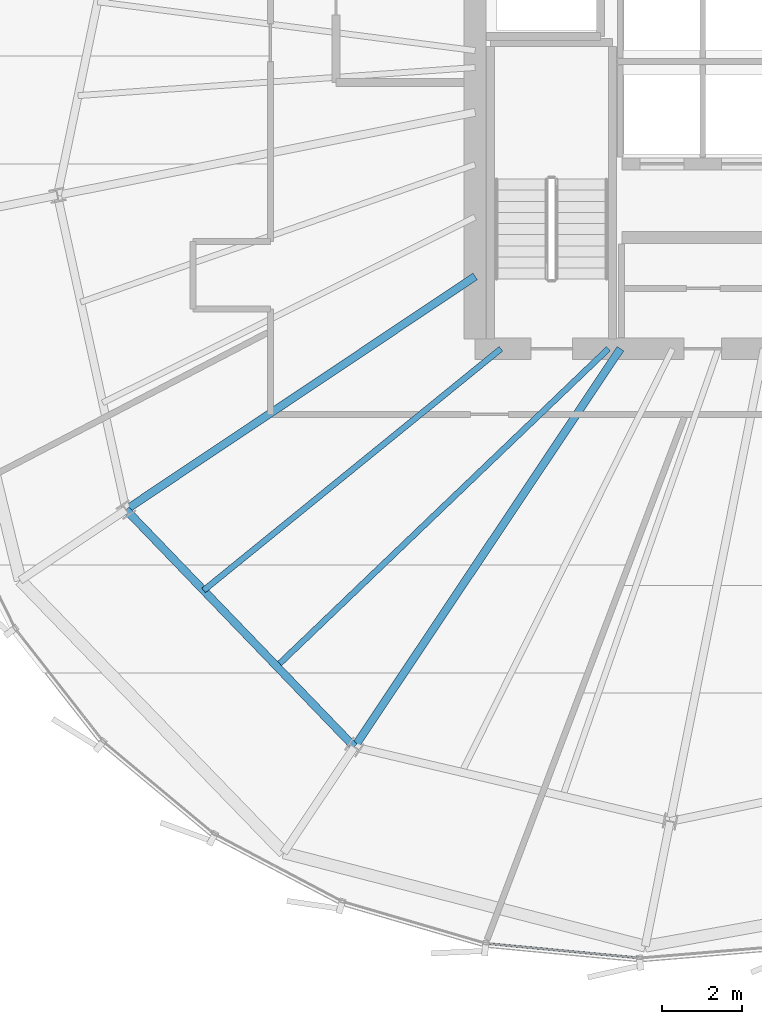
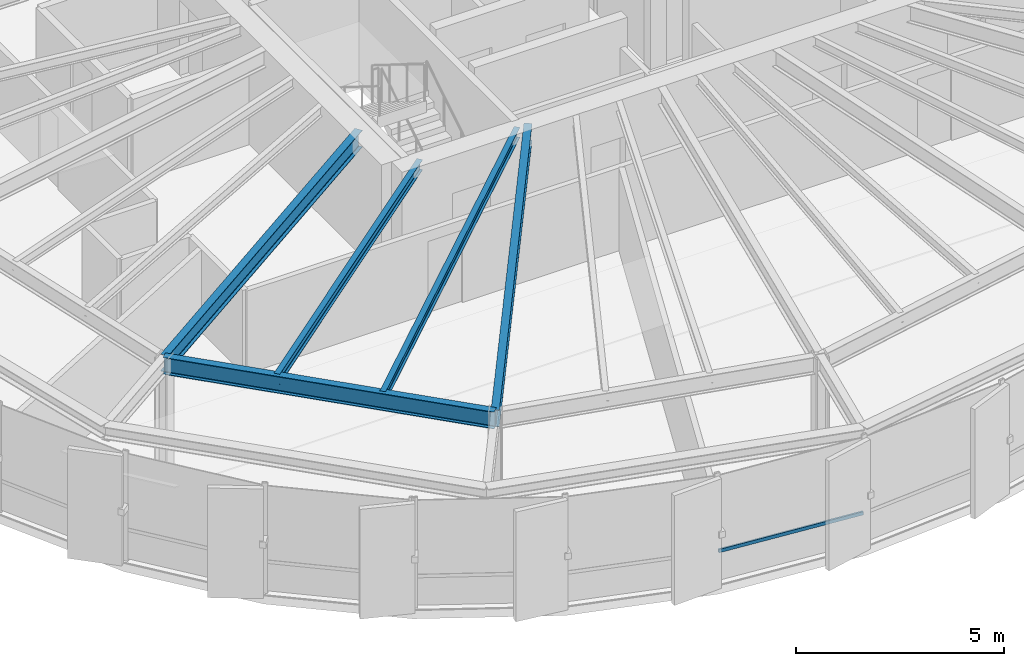
# One storey, part 5 of 33: 5 beams, 1 member, 1 element without a shape of its own.
"""IFC4 building model written with IfcOpenShell, lengths in metres."""

from ifc_helpers import new_model, si_unit, direction, frame, origin, origin_2d, place, context, subcontext, project, spatial, hollow_rectangle, i_section, extrude, source, transform, mapped, material, layer, layer_set, material_profile, profile_set, type_object, element, aggregate, save


model = new_model("IFC4")

# Units and contexts
model_context = context("Model", 3, precision=1e-05, world=origin(), true_north=direction((0.0, 1.0)))
body_context = subcontext(model_context, "Body", "Model", "MODEL_VIEW")
ifc_project = project(units=[si_unit("LENGTHUNIT", "METRE"), si_unit("AREAUNIT", "SQUARE_METRE"), si_unit("VOLUMEUNIT", "CUBIC_METRE"), si_unit("PLANEANGLEUNIT", "RADIAN"), si_unit("MASSUNIT", "GRAM", prefix="KILO"), si_unit("THERMODYNAMICTEMPERATUREUNIT", "KELVIN")], contexts=[model_context])

# Site, building, storey
site_placement = place(None, origin())
site = spatial("IfcSite", under=ifc_project, at=site_placement, CompositionType="ELEMENT")
building_placement = place(site_placement, origin())
building = spatial("IfcBuilding", under=site, at=building_placement, Name="Kethvar Cultural Tower", CompositionType="ELEMENT")
storey_placement = place(building_placement, frame((0.0, 0.0, 211.39990234375)))
storey = spatial("IfcBuildingStorey", under=building, at=storey_placement, Name="L55", CompositionType="ELEMENT", Elevation=211.39990234375)

# Beams
ifc_material_1 = material(Name="Steel S355J2", Category="steel")
ifc_material_profile_1 = material_profile(ifc_material_1, i_section(OverallWidth=0.199951171875, OverallDepth=0.5, WebThickness=0.01025390625, FlangeThickness=0.01611328125, FilletRadius=0.02099609375, at=origin_2d()), Name="Steel S355J2 — IPE500")
ifc_profile_set_1 = profile_set([ifc_material_profile_1], Name="Steel S355J2 — IPE500")
beam_type_1 = type_object("IfcBeamType", Name="BM-IPE500", PredefinedType="BEAM", material=ifc_profile_set_1)
shared_shape_1 = source(origin(), body_context, "Body", "SweptSolid", [
    extrude(i_section(OverallWidth=0.199951171875, OverallDepth=0.5, WebThickness=0.01025390625, FlangeThickness=0.01611328125, FilletRadius=0.02099609375, at=origin_2d()), origin(), (0.0, 0.0, 1.0), 10.562744140625),
])
beam_1_placement = place(storey_placement, frame((38.0, 21.920166015625, 3.008056640625), z_axis=(-0.831463100754, -0.555579978117, 0.0), x_axis=(0.555579978117, -0.831463100754, 0.0)))
element("IfcBeam", 1, at=beam_1_placement, inside=storey, type_object=beam_type_1, Name="L55 Primary Radial Beam RB-10", PredefinedType="BEAM", context=body_context, shape_type="MappedRepresentation", body=[
    mapped(shared_shape_1, transform((0.0, 0.0, 0.0), scale=1.0)),
])
shared_shape_2 = source(origin(), body_context, "Body", "SweptSolid", [
    extrude(i_section(OverallWidth=0.199951171875, OverallDepth=0.5, WebThickness=0.01025390625, FlangeThickness=0.01611328125, FilletRadius=0.02099609375, at=origin_2d()), origin(), (0.0, 0.0, 1.0), 12.0458984375),
])
beam_2_placement = place(storey_placement, frame((41.655029296875, 20.10009765625, 3.008056640625), z_axis=(-0.555569831996, -0.831469880258, 0.0), x_axis=(0.831469880258, -0.555569831996, 0.0)))
element("IfcBeam", 2, at=beam_2_placement, inside=storey, type_object=beam_type_1, Name="L55 Primary Radial Beam RB-11", PredefinedType="BEAM", context=body_context, shape_type="MappedRepresentation", body=[
    mapped(shared_shape_2, transform((0.0, 0.0, 0.0), scale=1.0)),
])
shared_shape_3 = source(origin(), body_context, "Body", "SweptSolid", [
    extrude(i_section(OverallWidth=0.199951171875, OverallDepth=0.5, WebThickness=0.01025390625, FlangeThickness=0.01611328125, FilletRadius=0.02099609375, at=origin_2d()), origin(), (0.0, 0.0, 1.0), 8.28369140625),
])
beam_3_placement = place(storey_placement, frame((29.217529296875, 16.0517578125, 3.008056640625), z_axis=(0.693554459208, -0.72040420051, 0.0), x_axis=(0.72040420051, 0.693554459208, 0.0)))
element("IfcBeam", 3, at=beam_3_placement, inside=storey, type_object=beam_type_1, Name="L55 Column Ring Tie Beam CR-10", PredefinedType="BEAM", context=body_context, shape_type="MappedRepresentation", body=[
    mapped(shared_shape_3, transform((0.0, 0.0, 0.0), scale=1.0)),
])
ifc_material_profile_2 = material_profile(ifc_material_1, i_section(OverallWidth=0.14990234375, OverallDepth=0.300048828125, WebThickness=0.007080078125, FlangeThickness=0.0107421875, FilletRadius=0.014892578125, at=origin_2d()), Name="Steel S355J2 — IPE300")
ifc_profile_set_2 = profile_set([ifc_material_profile_2], Name="Steel S355J2 — IPE300")
beam_type_2 = type_object("IfcBeamType", Name="BM-J300", PredefinedType="JOIST", material=ifc_profile_set_2)
shared_shape_4 = source(origin(), body_context, "Body", "SweptSolid", [
    extrude(i_section(OverallWidth=0.14990234375, OverallDepth=0.300048828125, WebThickness=0.007080078125, FlangeThickness=0.0107421875, FilletRadius=0.014892578125, at=origin_2d()), origin(), (0.0, 0.0, 1.0), 9.63671875),
])
beam_4_placement = place(storey_placement, frame((38.64990234375, 20.10009765625, 3.108154296875), z_axis=(-0.776090751649, -0.630621237515, 0.0), x_axis=(0.630621237515, -0.776090751649, 0.0)))
element("IfcBeam", 4, at=beam_4_placement, inside=storey, type_object=beam_type_2, Name="L55 Composite Floor Joist J-10A", PredefinedType="JOIST", context=body_context, shape_type="MappedRepresentation", body=[
    mapped(shared_shape_4, transform((0.0, 0.0, 0.0), scale=1.0)),
])
shared_shape_5 = source(origin(), body_context, "Body", "SweptSolid", [
    extrude(i_section(OverallWidth=0.14990234375, OverallDepth=0.300048828125, WebThickness=0.007080078125, FlangeThickness=0.0107421875, FilletRadius=0.014892578125, at=origin_2d()), origin(), (0.0, 0.0, 1.0), 11.548095703125),
])
beam_5_placement = place(storey_placement, frame((41.35009765625, 20.10009765625, 3.108154296875), z_axis=(-0.722268013472, -0.691613271067, 0.0), x_axis=(0.691613271067, -0.722268013472, 0.0)))
element("IfcBeam", 5, at=beam_5_placement, inside=storey, type_object=beam_type_2, Name="L55 Composite Floor Joist J-10B", PredefinedType="JOIST", context=body_context, shape_type="MappedRepresentation", body=[
    mapped(shared_shape_5, transform((0.0, 0.0, 0.0), scale=1.0)),
])

# Curtain wall, member
ifc_material_2 = material(Name="Aluminium 6063-T6", Category="aluminium")
ifc_layer = layer(ifc_material_2, 0.179931640625, Name="Aluminium 6063-T6", Category="aluminium")
ifc_layer_set = layer_set([ifc_layer], Name="Aluminium 6063-T6 (180 mm)")
curtain_wall_type = type_object("IfcCurtainWallType", Name="CW-SYS-04-Z34", PredefinedType="NOTDEFINED", material=ifc_layer_set)
curtain_wall_placement = place(storey_placement, origin())
curtain_wall = element("IfcCurtainWall", 6, at=curtain_wall_placement, inside=storey, type_object=curtain_wall_type, Name="L55 Curtain Wall Run 04", PredefinedType="NOTDEFINED")
ifc_material_profile_3 = material_profile(ifc_material_2, hollow_rectangle(XDim=0.050048828125, YDim=0.10009765625, WallThickness=0.00390625, at=origin_2d()), Name="Aluminium 6063-T6 — RHS100x50x4")
ifc_profile_set_3 = profile_set([ifc_material_profile_3], Name="Aluminium 6063-T6 — RHS100x50x4")
member_type = type_object("IfcMemberType", Name="CW-SYS-04-Z34-TRN", PredefinedType="USERDEFINED", material=ifc_profile_set_3)
shared_shape_6 = source(origin(), body_context, "Body", "SweptSolid", [
    extrude(hollow_rectangle(XDim=0.050048828125, YDim=0.10009765625, WallThickness=0.00390625, at=origin_2d()), origin(), (0.0, 0.0, 1.0), 3.8203125),
])
member_placement = place(storey_placement, frame((38.30908203125, 5.139892578125, 0.9501953125), z_axis=(0.995565849964, -0.094067201434, 0.0), x_axis=(0.094067201434, 0.995565849964, 0.0)))
member = element("IfcMember", 7, at=member_placement, type_object=member_type, Name="CW-L55-R04 Transom 3", ObjectType="TRANSOM", PredefinedType="USERDEFINED", context=body_context, shape_type="MappedRepresentation", body=[
    mapped(shared_shape_6, transform((0.0, 0.0, 0.0), scale=1.0)),
])
aggregate(curtain_wall, [member])

save(model, "model.ifc")
